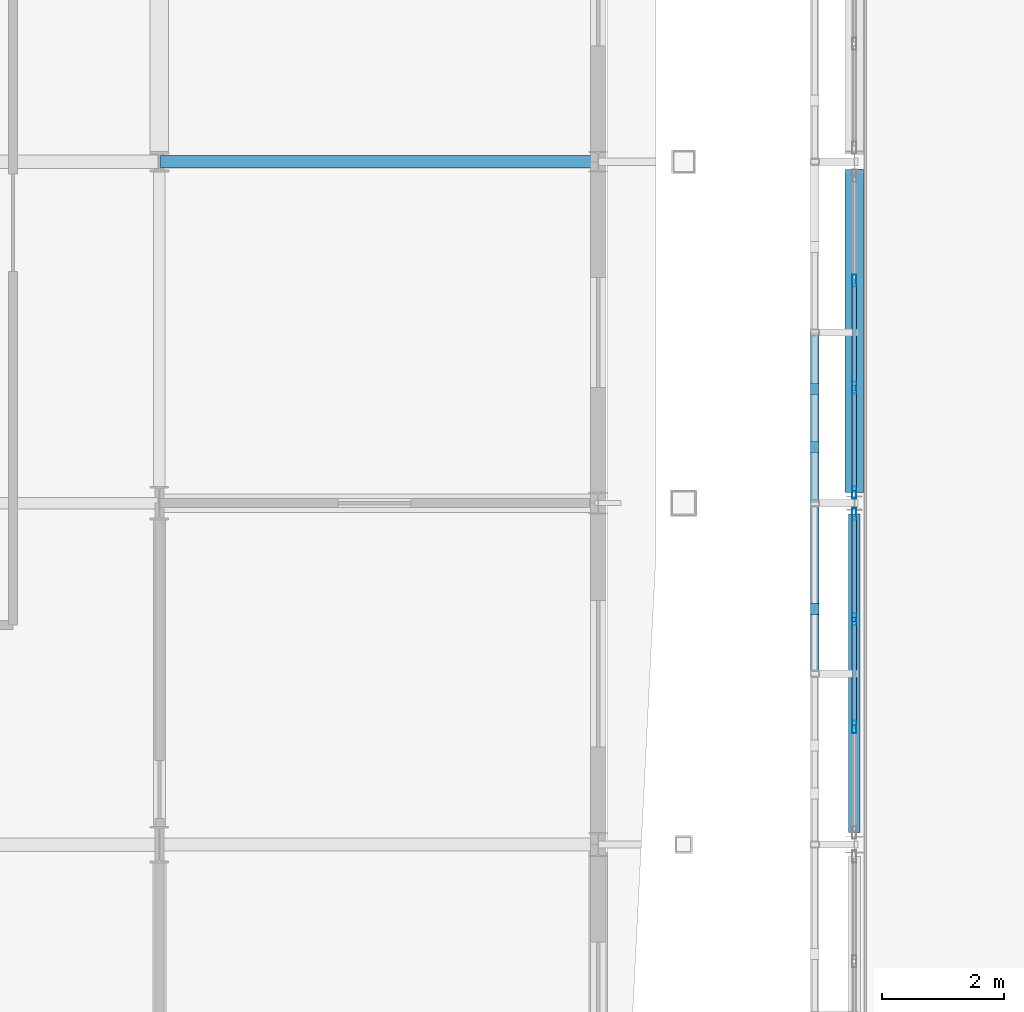
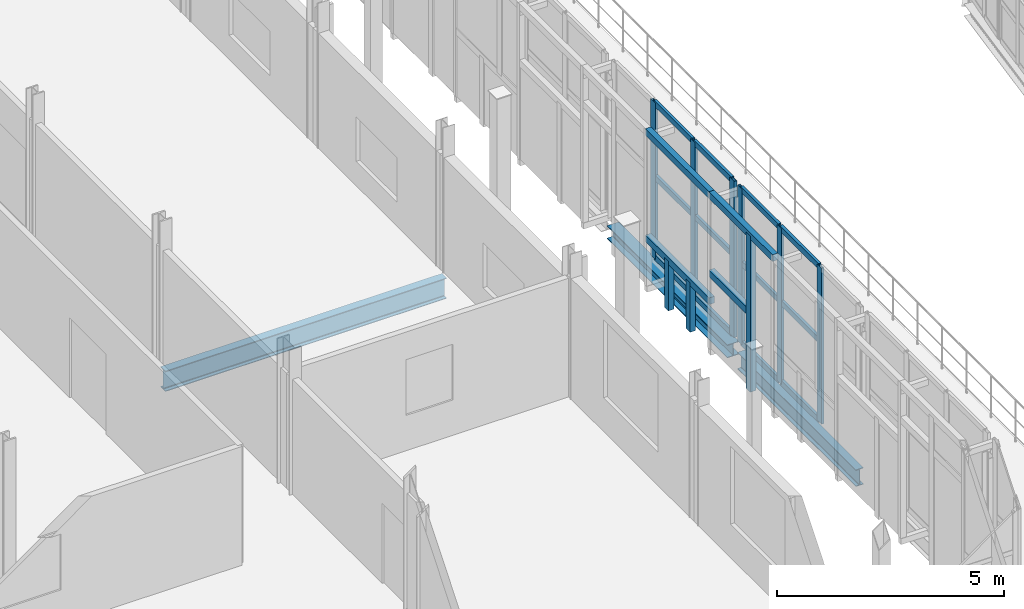
# One storey, part 28 of 78: 25 members, 3 beams, 2 elements without a shape of their own.
"""IFC4 building model written with IfcOpenShell, lengths in metres."""

from ifc_helpers import new_model, si_unit, direction, frame, origin, origin_2d, place, context, subcontext, project, spatial, rectangle, hollow_rectangle, i_section, extrude, material, layer, layer_set, material_profile, profile_set, type_object, element, aggregate, save


model = new_model("IFC4")

# Units and contexts
model_context = context("Model", 3, precision=1e-05, world=origin(), true_north=direction((0.0, 1.0)))
body_context = subcontext(model_context, "Body", "Model", "MODEL_VIEW")
ifc_project = project(units=[si_unit("LENGTHUNIT", "METRE"), si_unit("AREAUNIT", "SQUARE_METRE"), si_unit("VOLUMEUNIT", "CUBIC_METRE"), si_unit("PLANEANGLEUNIT", "RADIAN"), si_unit("MASSUNIT", "GRAM", prefix="KILO")], contexts=[model_context])

# Site, building, storey
site_placement = place(None, origin())
site = spatial("IfcSite", under=ifc_project, at=site_placement, CompositionType="ELEMENT")
building_placement = place(site_placement, origin())
building = spatial("IfcBuilding", under=site, at=building_placement, Name="Vinh Khe Railworks Police Headquarters", CompositionType="ELEMENT")
storey_placement = place(building_placement, frame((0.0, 0.0, 13.199951171875)))
storey = spatial("IfcBuildingStorey", under=building, at=storey_placement, Name="L03", CompositionType="ELEMENT", Elevation=13.199951171875)

# Members
ifc_material_1 = material(Name="Salvaged ironwood timber", Category="wood")
ifc_material_profile_1 = material_profile(ifc_material_1, rectangle(XDim=0.139892578125, YDim=0.179931640625, at=origin_2d()), Name="TIMBER 140x180")
ifc_profile_set_1 = profile_set([ifc_material_profile_1], Name="Salvaged ironwood timber")
member_type_1 = type_object("IfcMemberType", Name="MEM-QUILT-STILE", PredefinedType="CHORD", material=ifc_profile_set_1)
member_1_placement = place(storey_placement, frame((25.75, 39.199951171875, 4.1201171875), z_axis=(0.0, 1.0, 0.0), x_axis=(-1.0, 0.0, 0.0)))
element("IfcMember", 1, at=member_1_placement, inside=storey, type_object=member_type_1, Name="Salvaged Timber Quilt Transom W-L03-05-TOP", PredefinedType="CHORD", context=body_context, shape_type="SweptSolid", body=[
    extrude(rectangle(XDim=0.139892578125, YDim=0.179931640625, at=origin_2d()), origin(), (0.0, 0.0, 1.0), 2.800048828125),
])
member_2_placement = place(storey_placement, frame((25.75, 40.263916015625, -0.079833984375), z_axis=(0.0, 0.0, 1.0), x_axis=(1.0, 0.0, 0.0)))
element("IfcMember", 2, at=member_2_placement, inside=storey, type_object=member_type_1, Name="Salvaged Timber Quilt Stile W-L03-05-V1", PredefinedType="POST", context=body_context, shape_type="SweptSolid", body=[
    extrude(rectangle(XDim=0.139892578125, YDim=0.179931640625, at=origin_2d()), origin(), (0.0, 0.0, 1.0), 4.199951171875),
])
member_3_placement = place(storey_placement, frame((25.75, 40.263916015625, 2.01611328125), z_axis=(0.0, 1.0, 0.0), x_axis=(-1.0, 0.0, 0.0)))
element("IfcMember", 3, at=member_3_placement, inside=storey, type_object=member_type_1, Name="Salvaged Timber Quilt Transom W-L03-05-M1", PredefinedType="CHORD", context=body_context, shape_type="SweptSolid", body=[
    extrude(rectangle(XDim=0.139892578125, YDim=0.179931640625, at=origin_2d()), origin(), (0.0, 0.0, 1.0), 1.736083984375),
])
for number, where, z_axis, x_axis, name in (
    (4, (25.75, 42.0, 4.1201171875), (0.0, 1.0, 0.0), (-1.0, 0.0, 0.0), "Salvaged Timber Quilt Transom W-L03-06-TOP"),
    (5, (25.75, 42.0, 1.260009765625), (0.0, 1.0, 0.0), (-1.0, 0.0, 0.0), "Salvaged Timber Quilt Transom W-L03-06-M1"),
):
    element("IfcMember", number, at=place(storey_placement, frame(where, z_axis=z_axis, x_axis=x_axis)), inside=storey, type_object=member_type_1, Name=name, PredefinedType="CHORD", context=body_context, shape_type="SweptSolid", body=[
        extrude(rectangle(XDim=0.139892578125, YDim=0.179931640625, at=origin_2d()), origin(), (0.0, 0.0, 1.0), 2.800048828125),
    ])
for number, where, z_axis, x_axis, name in (
    (6, (25.75, 42.924072265625, -0.079833984375), (0.0, 0.0, 1.0), (1.0, 0.0, 0.0), "Salvaged Timber Quilt Stile W-L03-06-V1"),
    (7, (25.75, 43.8759765625, -0.079833984375), (0.0, 0.0, 1.0), (1.0, 0.0, 0.0), "Salvaged Timber Quilt Stile W-L03-06-V2"),
):
    element("IfcMember", number, at=place(storey_placement, frame(where, z_axis=z_axis, x_axis=x_axis)), inside=storey, type_object=member_type_1, Name=name, PredefinedType="POST", context=body_context, shape_type="SweptSolid", body=[
        extrude(rectangle(XDim=0.139892578125, YDim=0.179931640625, at=origin_2d()), origin(), (0.0, 0.0, 1.0), 1.33984375),
    ])

# Curtain wall, members
ifc_material_2 = material(Name="Anodised aluminium and low-iron glass", Category="aluminium")
ifc_layer = layer(ifc_material_2, 0.179931640625)
ifc_layer_set = layer_set([ifc_layer], Name="Anodised aluminium and low-iron glass")
curtain_wall_type = type_object("IfcCurtainWallType", Name="CW-CUBE-UNIT", PredefinedType="USERDEFINED", material=ifc_layer_set)
curtain_wall_1_placement = place(storey_placement, origin())
curtain_wall_1 = element("IfcCurtainWall", 8, at=curtain_wall_1_placement, inside=storey, type_object=curtain_wall_type, Name="Entrance Hall Curtain Wall L03 W-3", ObjectType="UNITISED GLAZING", PredefinedType="USERDEFINED")
ifc_material_3 = material(Name="Anodised aluminium 6063-T6", Category="aluminium")
ifc_material_profile_2 = material_profile(ifc_material_3, hollow_rectangle(XDim=0.070068359375, YDim=0.199951171875, WallThickness=0.0048828125, at=origin_2d()), Name="CW-M 70x200x5")
ifc_profile_set_2 = profile_set([ifc_material_profile_2], Name="Anodised aluminium 6063-T6")
member_type_2 = type_object("IfcMemberType", Name="MULL-CWM-03", PredefinedType="MULLION", material=ifc_profile_set_2)
member_4_placement = place(storey_placement, frame((26.39990234375, 38.32666015625, 0.0), z_axis=(0.0, 0.0, 1.0), x_axis=(-1.0, 0.0, 0.0)))
member_4 = element("IfcMember", 9, at=member_4_placement, type_object=member_type_2, Name="CW-01 mullion 2", PredefinedType="MULLION", context=body_context, shape_type="SweptSolid", body=[
    extrude(hollow_rectangle(XDim=0.070068359375, YDim=0.199951171875, WallThickness=0.0048828125, at=origin_2d()), origin(), (0.0, 0.0, 1.0), 4.199951171875),
])
member_5_placement = place(storey_placement, frame((26.39990234375, 40.09326171875, 0.0), z_axis=(0.0, 0.0, 1.0), x_axis=(-1.0, 0.0, 0.0)))
member_5 = element("IfcMember", 10, at=member_5_placement, type_object=member_type_2, Name="CW-01 mullion 3", PredefinedType="MULLION", context=body_context, shape_type="SweptSolid", body=[
    extrude(hollow_rectangle(XDim=0.070068359375, YDim=0.199951171875, WallThickness=0.0048828125, at=origin_2d()), origin(), (0.0, 0.0, 1.0), 4.199951171875),
])
member_6_placement = place(storey_placement, frame((26.39990234375, 41.824951171875, 0.0), z_axis=(0.0, 0.0, 1.0), x_axis=(-1.0, 0.0, 0.0)))
member_6 = element("IfcMember", 11, at=member_6_placement, type_object=member_type_2, Name="CW-01 mullion 4", PredefinedType="MULLION", context=body_context, shape_type="SweptSolid", body=[
    extrude(hollow_rectangle(XDim=0.070068359375, YDim=0.199951171875, WallThickness=0.0048828125, at=origin_2d()), origin(), (0.0, 0.0, 1.0), 4.199951171875),
])

curtain_wall_2_placement = place(storey_placement, origin())
curtain_wall_2 = element("IfcCurtainWall", 12, at=curtain_wall_2_placement, inside=storey, type_object=curtain_wall_type, Name="Entrance Hall Curtain Wall L03 W-4", ObjectType="UNITISED GLAZING", PredefinedType="USERDEFINED")
member_7_placement = place(storey_placement, frame((26.39990234375, 42.175048828125, 0.0), z_axis=(0.0, 0.0, 1.0), x_axis=(-1.0, 0.0, 0.0)))
member_7 = element("IfcMember", 13, at=member_7_placement, type_object=member_type_2, Name="CW-01 mullion 1", PredefinedType="MULLION", context=body_context, shape_type="SweptSolid", body=[
    extrude(hollow_rectangle(XDim=0.070068359375, YDim=0.199951171875, WallThickness=0.0048828125, at=origin_2d()), origin(), (0.0, 0.0, 1.0), 4.199951171875),
])
member_8_placement = place(storey_placement, frame((26.39990234375, 43.89501953125, 0.0), z_axis=(0.0, 0.0, 1.0), x_axis=(-1.0, 0.0, 0.0)))
member_8 = element("IfcMember", 14, at=member_8_placement, type_object=member_type_2, Name="CW-01 mullion 2", PredefinedType="MULLION", context=body_context, shape_type="SweptSolid", body=[
    extrude(hollow_rectangle(XDim=0.070068359375, YDim=0.199951171875, WallThickness=0.0048828125, at=origin_2d()), origin(), (0.0, 0.0, 1.0), 4.199951171875),
])
member_9_placement = place(storey_placement, frame((26.39990234375, 45.64990234375, 0.0), z_axis=(0.0, 0.0, 1.0), x_axis=(-1.0, 0.0, 0.0)))
member_9 = element("IfcMember", 15, at=member_9_placement, type_object=member_type_2, Name="CW-01 mullion 3", PredefinedType="MULLION", context=body_context, shape_type="SweptSolid", body=[
    extrude(hollow_rectangle(XDim=0.070068359375, YDim=0.199951171875, WallThickness=0.0048828125, at=origin_2d()), origin(), (0.0, 0.0, 1.0), 4.199951171875),
])

# Beams
ifc_material_4 = material(Name="Steel S355JR", Category="steel")
ifc_material_profile_3 = material_profile(ifc_material_4, i_section(OverallWidth=0.300048828125, OverallDepth=0.35009765625, WebThickness=0.010009765625, FlangeThickness=0.017578125, FilletRadius=0.027099609375, at=origin_2d()), Name="HEA 360")
ifc_profile_set_3 = profile_set([ifc_material_profile_3], Name="Steel S355JR")
beam_type_1 = type_object("IfcBeamType", Name="Steel Girder HEA 360", PredefinedType="BEAM", material=ifc_profile_set_3)
beam_1_placement = place(storey_placement, frame((26.39990234375, 42.175048828125, -0.39501953125), z_axis=(0.0, 1.0, 0.0), x_axis=(-1.0, 0.0, 0.0)))
element("IfcBeam", 16, at=beam_1_placement, inside=storey, type_object=beam_type_1, Name="Girder BM-L03-NS-SB-15-1213", PredefinedType="BEAM", context=body_context, shape_type="SweptSolid", body=[
    extrude(i_section(OverallWidth=0.300048828125, OverallDepth=0.35009765625, WebThickness=0.010009765625, FlangeThickness=0.017578125, FilletRadius=0.027099609375, at=origin_2d()), origin(), (0.0, 0.0, 1.0), 5.294921875),
])
ifc_material_profile_4 = material_profile(ifc_material_4, i_section(OverallWidth=0.18994140625, OverallDepth=0.449951171875, WebThickness=0.009521484375, FlangeThickness=0.0146484375, FilletRadius=0.02099609375, at=origin_2d()), Name="IPE 450")
ifc_profile_set_4 = profile_set([ifc_material_profile_4], Name="Steel S355JR")
beam_type_2 = type_object("IfcBeamType", Name="Steel Girder IPE 450", PredefinedType="BEAM", material=ifc_profile_set_4)
beam_2_placement = place(storey_placement, frame((26.39990234375, 36.60009765625, -0.445068359375), z_axis=(0.0, 1.0, 0.0), x_axis=(-1.0, 0.0, 0.0)))
element("IfcBeam", 17, at=beam_2_placement, inside=storey, type_object=beam_type_2, Name="Girder BM-L03-NS-SB-20-1212", PredefinedType="BEAM", context=body_context, shape_type="SweptSolid", body=[
    extrude(i_section(OverallWidth=0.18994140625, OverallDepth=0.449951171875, WebThickness=0.009521484375, FlangeThickness=0.0146484375, FilletRadius=0.02099609375, at=origin_2d()), origin(), (0.0, 0.0, 1.0), 5.224853515625),
])
ifc_material_profile_5 = material_profile(ifc_material_4, i_section(OverallWidth=0.2099609375, OverallDepth=0.550048828125, WebThickness=0.010986328125, FlangeThickness=0.01708984375, FilletRadius=0.02392578125, at=origin_2d()), Name="IPE 550")
ifc_profile_set_5 = profile_set([ifc_material_profile_5], Name="Steel S355JR")
beam_type_3 = type_object("IfcBeamType", Name="Steel Girder IPE 550", PredefinedType="BEAM", material=ifc_profile_set_5)
beam_3_placement = place(storey_placement, frame((15.02001953125, 47.60009765625, -0.494873046875), z_axis=(1.0, 0.0, 0.0), x_axis=(0.0, 1.0, 0.0)))
element("IfcBeam", 18, at=beam_3_placement, inside=storey, type_object=beam_type_3, Name="Girder BM-L03-EW-SB-18-1054", PredefinedType="BEAM", context=body_context, shape_type="SweptSolid", body=[
    extrude(i_section(OverallWidth=0.2099609375, OverallDepth=0.550048828125, WebThickness=0.010986328125, FlangeThickness=0.01708984375, FilletRadius=0.02392578125, at=origin_2d()), origin(), (0.0, 0.0, 1.0), 7.159912109375),
])

# Member
ifc_material_profile_6 = material_profile(ifc_material_3, hollow_rectangle(XDim=0.070068359375, YDim=0.14990234375, WallThickness=0.0048828125, at=origin_2d()), Name="CW-T 70x150x5")
ifc_profile_set_6 = profile_set([ifc_material_profile_6], Name="Anodised aluminium 6063-T6")
member_type_3 = type_object("IfcMemberType", Name="TRAN-CWT-03", PredefinedType="USERDEFINED", material=ifc_profile_set_6)
member_10_placement = place(storey_placement, frame((26.39990234375, 38.361572265625, 0.03515625), z_axis=(0.0, 1.0, 0.0), x_axis=(-1.0, 0.0, 0.0)))
member_10 = element("IfcMember", 19, at=member_10_placement, type_object=member_type_3, Name="CW-01 transom 2.1", ObjectType="TRANSOM", PredefinedType="USERDEFINED", context=body_context, shape_type="SweptSolid", body=[
    extrude(hollow_rectangle(XDim=0.070068359375, YDim=0.14990234375, WallThickness=0.0048828125, at=origin_2d()), origin(), (0.0, 0.0, 1.0), 1.69677734375),
])

member_11_placement = place(storey_placement, frame((26.39990234375, 38.361572265625, 2.18408203125), z_axis=(0.0, 1.0, 0.0), x_axis=(-1.0, 0.0, 0.0)))
member_11 = element("IfcMember", 20, at=member_11_placement, type_object=member_type_3, Name="CW-01 transom 2.2", ObjectType="TRANSOM", PredefinedType="USERDEFINED", context=body_context, shape_type="SweptSolid", body=[
    extrude(hollow_rectangle(XDim=0.070068359375, YDim=0.14990234375, WallThickness=0.0048828125, at=origin_2d()), origin(), (0.0, 0.0, 1.0), 1.69677734375),
])

member_12_placement = place(storey_placement, frame((26.39990234375, 38.361572265625, 4.1650390625), z_axis=(0.0, 1.0, 0.0), x_axis=(-1.0, 0.0, 0.0)))
member_12 = element("IfcMember", 21, at=member_12_placement, type_object=member_type_3, Name="CW-01 transom 2.3", ObjectType="TRANSOM", PredefinedType="USERDEFINED", context=body_context, shape_type="SweptSolid", body=[
    extrude(hollow_rectangle(XDim=0.070068359375, YDim=0.14990234375, WallThickness=0.0048828125, at=origin_2d()), origin(), (0.0, 0.0, 1.0), 1.69677734375),
])

member_13_placement = place(storey_placement, frame((26.39990234375, 40.12841796875, 0.03515625), z_axis=(0.0, 1.0, 0.0), x_axis=(-1.0, 0.0, 0.0)))
member_13 = element("IfcMember", 22, at=member_13_placement, type_object=member_type_3, Name="CW-01 transom 3.1", ObjectType="TRANSOM", PredefinedType="USERDEFINED", context=body_context, shape_type="SweptSolid", body=[
    extrude(hollow_rectangle(XDim=0.070068359375, YDim=0.14990234375, WallThickness=0.0048828125, at=origin_2d()), origin(), (0.0, 0.0, 1.0), 1.66162109375),
])

member_14_placement = place(storey_placement, frame((26.39990234375, 40.12841796875, 2.18408203125), z_axis=(0.0, 1.0, 0.0), x_axis=(-1.0, 0.0, 0.0)))
member_14 = element("IfcMember", 23, at=member_14_placement, type_object=member_type_3, Name="CW-01 transom 3.2", ObjectType="TRANSOM", PredefinedType="USERDEFINED", context=body_context, shape_type="SweptSolid", body=[
    extrude(hollow_rectangle(XDim=0.070068359375, YDim=0.14990234375, WallThickness=0.0048828125, at=origin_2d()), origin(), (0.0, 0.0, 1.0), 1.66162109375),
])

member_15_placement = place(storey_placement, frame((26.39990234375, 40.12841796875, 4.1650390625), z_axis=(0.0, 1.0, 0.0), x_axis=(-1.0, 0.0, 0.0)))
member_15 = element("IfcMember", 24, at=member_15_placement, type_object=member_type_3, Name="CW-01 transom 3.3", ObjectType="TRANSOM", PredefinedType="USERDEFINED", context=body_context, shape_type="SweptSolid", body=[
    extrude(hollow_rectangle(XDim=0.070068359375, YDim=0.14990234375, WallThickness=0.0048828125, at=origin_2d()), origin(), (0.0, 0.0, 1.0), 1.66162109375),
])

aggregate(curtain_wall_1, [member_4, member_5, member_6, member_10, member_11, member_12, member_13, member_14, member_15])

member_16_placement = place(storey_placement, frame((26.39990234375, 42.2099609375, 0.03515625), z_axis=(0.0, 1.0, 0.0), x_axis=(-1.0, 0.0, 0.0)))
member_16 = element("IfcMember", 25, at=member_16_placement, type_object=member_type_3, Name="CW-01 transom 1.1", ObjectType="TRANSOM", PredefinedType="USERDEFINED", context=body_context, shape_type="SweptSolid", body=[
    extrude(hollow_rectangle(XDim=0.070068359375, YDim=0.14990234375, WallThickness=0.0048828125, at=origin_2d()), origin(), (0.0, 0.0, 1.0), 1.650146484375),
])

member_17_placement = place(storey_placement, frame((26.39990234375, 42.2099609375, 2.18408203125), z_axis=(0.0, 1.0, 0.0), x_axis=(-1.0, 0.0, 0.0)))
member_17 = element("IfcMember", 26, at=member_17_placement, type_object=member_type_3, Name="CW-01 transom 1.2", ObjectType="TRANSOM", PredefinedType="USERDEFINED", context=body_context, shape_type="SweptSolid", body=[
    extrude(hollow_rectangle(XDim=0.070068359375, YDim=0.14990234375, WallThickness=0.0048828125, at=origin_2d()), origin(), (0.0, 0.0, 1.0), 1.650146484375),
])

member_18_placement = place(storey_placement, frame((26.39990234375, 42.2099609375, 4.1650390625), z_axis=(0.0, 1.0, 0.0), x_axis=(-1.0, 0.0, 0.0)))
member_18 = element("IfcMember", 27, at=member_18_placement, type_object=member_type_3, Name="CW-01 transom 1.3", ObjectType="TRANSOM", PredefinedType="USERDEFINED", context=body_context, shape_type="SweptSolid", body=[
    extrude(hollow_rectangle(XDim=0.070068359375, YDim=0.14990234375, WallThickness=0.0048828125, at=origin_2d()), origin(), (0.0, 0.0, 1.0), 1.650146484375),
])

member_19_placement = place(storey_placement, frame((26.39990234375, 43.929931640625, 0.03515625), z_axis=(0.0, 1.0, 0.0), x_axis=(-1.0, 0.0, 0.0)))
member_19 = element("IfcMember", 28, at=member_19_placement, type_object=member_type_3, Name="CW-01 transom 2.1", ObjectType="TRANSOM", PredefinedType="USERDEFINED", context=body_context, shape_type="SweptSolid", body=[
    extrude(hollow_rectangle(XDim=0.070068359375, YDim=0.14990234375, WallThickness=0.0048828125, at=origin_2d()), origin(), (0.0, 0.0, 1.0), 1.68505859375),
])

member_20_placement = place(storey_placement, frame((26.39990234375, 43.929931640625, 2.18408203125), z_axis=(0.0, 1.0, 0.0), x_axis=(-1.0, 0.0, 0.0)))
member_20 = element("IfcMember", 29, at=member_20_placement, type_object=member_type_3, Name="CW-01 transom 2.2", ObjectType="TRANSOM", PredefinedType="USERDEFINED", context=body_context, shape_type="SweptSolid", body=[
    extrude(hollow_rectangle(XDim=0.070068359375, YDim=0.14990234375, WallThickness=0.0048828125, at=origin_2d()), origin(), (0.0, 0.0, 1.0), 1.68505859375),
])

member_21_placement = place(storey_placement, frame((26.39990234375, 43.929931640625, 4.1650390625), z_axis=(0.0, 1.0, 0.0), x_axis=(-1.0, 0.0, 0.0)))
member_21 = element("IfcMember", 30, at=member_21_placement, type_object=member_type_3, Name="CW-01 transom 2.3", ObjectType="TRANSOM", PredefinedType="USERDEFINED", context=body_context, shape_type="SweptSolid", body=[
    extrude(hollow_rectangle(XDim=0.070068359375, YDim=0.14990234375, WallThickness=0.0048828125, at=origin_2d()), origin(), (0.0, 0.0, 1.0), 1.68505859375),
])

aggregate(curtain_wall_2, [member_7, member_8, member_9, member_16, member_17, member_18, member_19, member_20, member_21])

save(model, "model.ifc")
